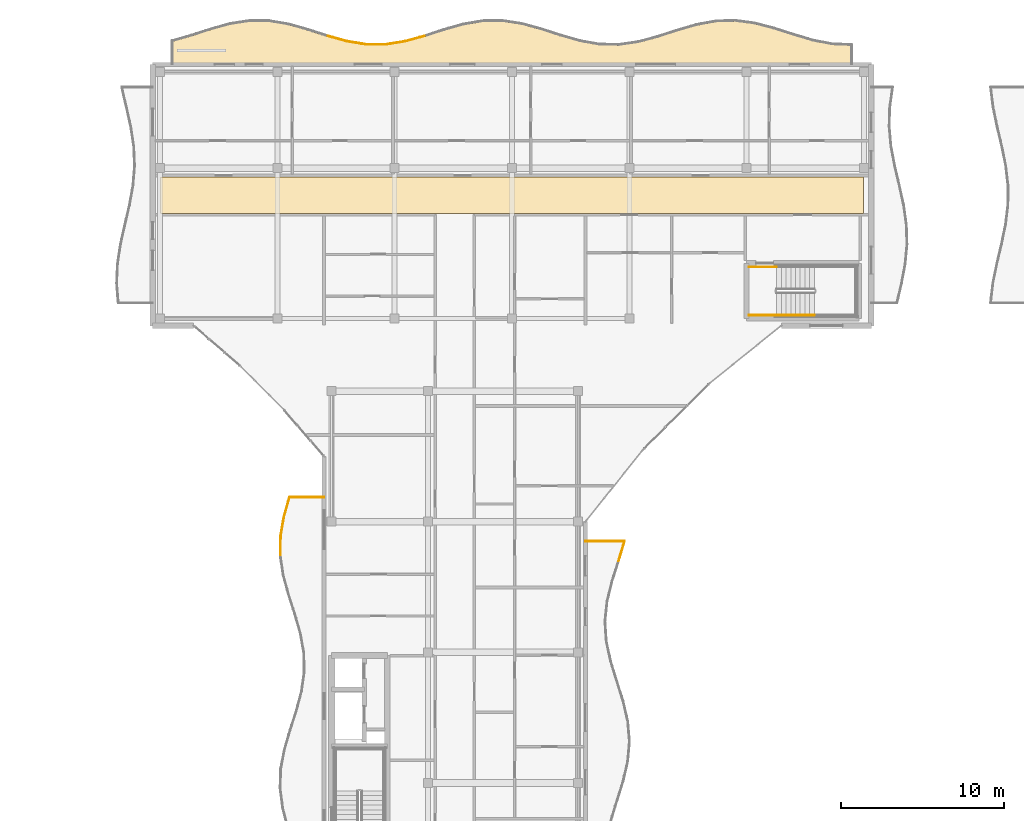
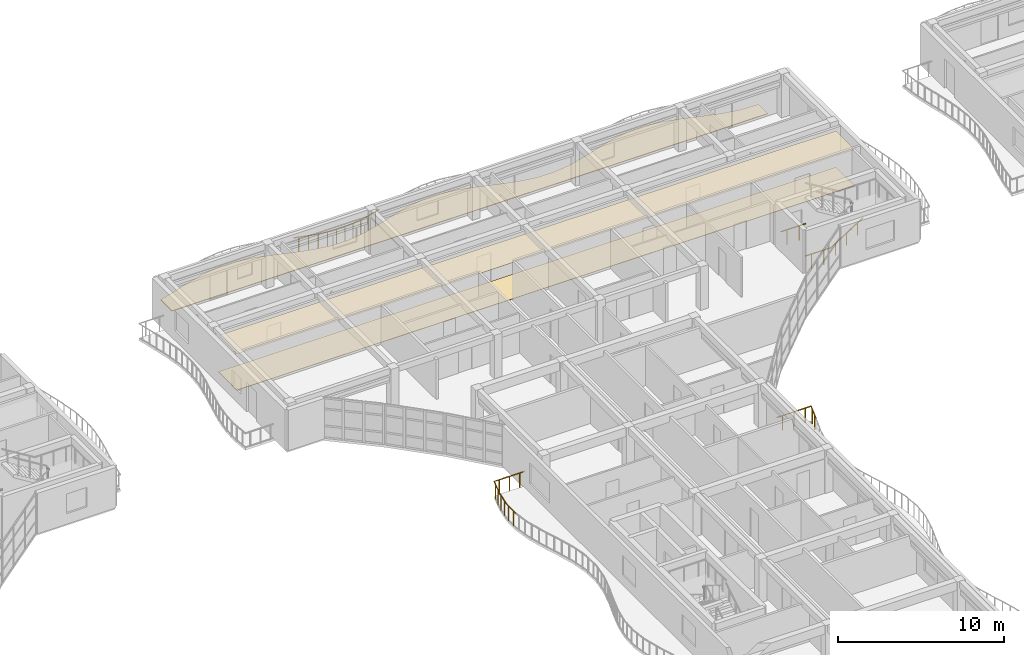
# One storey, part 59 of 68: 14 railings, 3 coverings.
"""IFC4 building model written with IfcOpenShell, lengths in metres."""

from ifc_helpers import new_model, si_unit, direction, frame, origin, origin_2d, place, context, subcontext, project, spatial, polyline, circle, outline, extrude, material, layer, layer_set, type_object, element, save


model = new_model("IFC4")

# Units and contexts
model_context = context("Model", 3, precision=1e-05, world=origin(), true_north=direction((0.0, 1.0)))
body_context = subcontext(model_context, "Body", "Model", "MODEL_VIEW")
ifc_project = project(units=[si_unit("LENGTHUNIT", "METRE"), si_unit("AREAUNIT", "SQUARE_METRE"), si_unit("VOLUMEUNIT", "CUBIC_METRE"), si_unit("PLANEANGLEUNIT", "RADIAN"), si_unit("MASSUNIT", "GRAM", prefix="KILO")], contexts=[model_context])

# Site, building, storey
site_placement = place(None, origin())
site = spatial("IfcSite", under=ifc_project, at=site_placement, CompositionType="ELEMENT")
building_placement = place(site_placement, origin())
building = spatial("IfcBuilding", under=site, at=building_placement, Name="Keldmere Railside Commons", CompositionType="ELEMENT")
storey_placement = place(building_placement, frame((0.0, 0.0, 23.360107421875)))
storey = spatial("IfcBuildingStorey", under=building, at=storey_placement, Name="L07", CompositionType="ELEMENT", Elevation=23.360107421875)

# Railings
ifc_material_1 = material(Name="Steel F-24 (S235)", Category="steel")
railing_type_1 = type_object("IfcRailingType", Name="Balcony & Terrace Steel Balustrade 1100", PredefinedType="BALUSTRADE", material=ifc_material_1)
railing_1_placement = place(storey_placement, frame((104.20849609375, 117.7470703125, 0.0)))
element("IfcRailing", 1, at=railing_1_placement, inside=storey, type_object=railing_type_1, Name="GR-1 GRD-L07-2639", PredefinedType="BALUSTRADE", context=body_context, shape_type="SweptSolid", body=[
    extrude(circle(Radius=0.02392578125, at=origin_2d()), frame((0.0, 0.0, 1.076171875), z_axis=(0.963287968843, -0.268470275975, 0.0), x_axis=(0.268470275975, 0.963287968843, 0.0)), (0.0, 0.0, 1.0), 1.234130859375),
    extrude(circle(Radius=0.02099609375, at=origin_2d()), frame((0.297119140625, -0.082763671875, 0.0)), (0.0, 0.0, 1.0), 1.048095703125),
    extrude(circle(Radius=0.02099609375, at=origin_2d()), frame((0.8916015625, -0.24853515625, 0.0)), (0.0, 0.0, 1.0), 1.048095703125),
])
railing_2_placement = place(storey_placement, frame((105.397216796875, 117.415771484375, 0.0)))
element("IfcRailing", 2, at=railing_2_placement, inside=storey, type_object=railing_type_1, Name="GR-1 GRD-L07-2640", PredefinedType="BALUSTRADE", context=body_context, shape_type="SweptSolid", body=[
    extrude(circle(Radius=0.02392578125, at=origin_2d()), frame((0.0, 0.0, 1.076171875), z_axis=(0.987373460489, -0.158409751981, 0.0), x_axis=(0.158409751981, 0.987373460489, 0.0)), (0.0, 0.0, 1.0), 1.20361328125),
    extrude(circle(Radius=0.02099609375, at=origin_2d()), frame((0.297119140625, -0.047607421875, 0.0)), (0.0, 0.0, 1.0), 1.048095703125),
    extrude(circle(Radius=0.02099609375, at=origin_2d()), frame((0.891357421875, -0.14306640625, 0.0)), (0.0, 0.0, 1.0), 1.048095703125),
])
railing_3_placement = place(storey_placement, frame((106.585693359375, 117.22509765625, 0.0)))
element("IfcRailing", 3, at=railing_3_placement, inside=storey, type_object=railing_type_1, Name="GR-1 GRD-L07-2641", PredefinedType="BALUSTRADE", context=body_context, shape_type="SweptSolid", body=[
    extrude(circle(Radius=0.02392578125, at=origin_2d()), frame((0.0, 0.0, 1.076171875), z_axis=(1.0, 0.0, 0.0), x_axis=(0.0, 1.0, 0.0)), (0.0, 0.0, 1.0), 1.188720703125),
    extrude(circle(Radius=0.02099609375, at=origin_2d()), frame((0.297119140625, 0.0, 0.0)), (0.0, 0.0, 1.0), 1.048095703125),
    extrude(circle(Radius=0.02099609375, at=origin_2d()), frame((0.8916015625, 0.0, 0.0)), (0.0, 0.0, 1.0), 1.048095703125),
])
railing_4_placement = place(storey_placement, frame((107.7744140625, 117.22509765625, 0.0)))
element("IfcRailing", 4, at=railing_4_placement, inside=storey, type_object=railing_type_1, Name="GR-1 GRD-L07-2642", PredefinedType="BALUSTRADE", context=body_context, shape_type="SweptSolid", body=[
    extrude(circle(Radius=0.02392578125, at=origin_2d()), frame((0.0, 0.0, 1.076171875), z_axis=(0.987373460489, 0.158409751981, 0.0), x_axis=(-0.158409751981, 0.987373460489, 0.0)), (0.0, 0.0, 1.0), 1.20361328125),
    extrude(circle(Radius=0.02099609375, at=origin_2d()), frame((0.297119140625, 0.047607421875, 0.0)), (0.0, 0.0, 1.0), 1.048095703125),
    extrude(circle(Radius=0.02099609375, at=origin_2d()), frame((0.891357421875, 0.14306640625, 0.0)), (0.0, 0.0, 1.0), 1.048095703125),
])
railing_5_placement = place(storey_placement, frame((108.962890625, 117.415771484375, 0.0)))
element("IfcRailing", 5, at=railing_5_placement, inside=storey, type_object=railing_type_1, Name="GR-1 GRD-L07-2643", PredefinedType="BALUSTRADE", context=body_context, shape_type="SweptSolid", body=[
    extrude(circle(Radius=0.02392578125, at=origin_2d()), frame((0.0, 0.0, 1.076171875), z_axis=(0.963324873582, 0.268337824276, 0.0), x_axis=(-0.268337824276, 0.963324873582, 0.0)), (0.0, 0.0, 1.0), 1.233642578125),
    extrude(circle(Radius=0.02099609375, at=origin_2d()), frame((0.297119140625, 0.082763671875, 0.0)), (0.0, 0.0, 1.0), 1.048095703125),
    extrude(circle(Radius=0.02099609375, at=origin_2d()), frame((0.891357421875, 0.248291015625, 0.0)), (0.0, 0.0, 1.0), 1.048095703125),
])
railing_6_placement = place(storey_placement, frame((122.0205078125, 85.574951171875, 0.0)))
element("IfcRailing", 6, at=railing_6_placement, inside=storey, type_object=railing_type_1, Name="GR-1 GRD-L07-2691", PredefinedType="BALUSTRADE", context=body_context, shape_type="SweptSolid", body=[
    extrude(circle(Radius=0.02392578125, at=origin_2d()), frame((0.0, 0.0, 1.076171875), z_axis=(0.289552075259, 0.957162261956, 0.0), x_axis=(-0.957162261956, 0.289552075259, 0.0)), (0.0, 0.0, 1.0), 1.280029296875),
    extrude(circle(Radius=0.02099609375, at=origin_2d()), frame((0.0927734375, 0.30615234375, 0.0)), (0.0, 0.0, 1.0), 1.048095703125),
    extrude(circle(Radius=0.02099609375, at=origin_2d()), frame((0.27783203125, 0.9189453125, 0.0)), (0.0, 0.0, 1.0), 1.048095703125),
])
railing_7_placement = place(storey_placement, frame((122.39111328125, 86.800048828125, 0.0)))
element("IfcRailing", 7, at=railing_7_placement, inside=storey, type_object=railing_type_1, Name="GR-1 GRD-L07-2692", PredefinedType="BALUSTRADE", context=body_context, shape_type="SweptSolid", body=[
    extrude(circle(Radius=0.02392578125, at=origin_2d()), frame((0.0, 0.0, 1.076171875), z_axis=(-1.0, 0.0, 0.0), x_axis=(0.0, -1.0, 0.0)), (0.0, 0.0, 1.0), 2.39111328125),
    extrude(circle(Radius=0.02099609375, at=origin_2d()), frame((-0.3984375, 0.0, 0.0)), (0.0, 0.0, 1.0), 1.048095703125),
    extrude(circle(Radius=0.02099609375, at=origin_2d()), frame((-1.195556640625, 0.0, 0.0)), (0.0, 0.0, 1.0), 1.048095703125),
    extrude(circle(Radius=0.02099609375, at=origin_2d()), frame((-1.99267578125, 0.0, 0.0)), (0.0, 0.0, 1.0), 1.048095703125),
])
railing_8_placement = place(storey_placement, frame((101.318115234375, 85.933349609375, 0.0)))
element("IfcRailing", 8, at=railing_8_placement, inside=storey, type_object=railing_type_1, Name="GR-1 GRD-L07-2718", PredefinedType="BALUSTRADE", context=body_context, shape_type="SweptSolid", body=[
    extrude(circle(Radius=0.02392578125, at=origin_2d()), frame((0.0, 0.0, 1.076171875), z_axis=(0.012524684876, 0.999921563058, 0.0), x_axis=(-0.999921563058, 0.012524684876, 0.0)), (0.0, 0.0, 1.0), 1.18896484375),
    extrude(circle(Radius=0.02099609375, at=origin_2d()), frame((0.003662109375, 0.29736328125, 0.0)), (0.0, 0.0, 1.0), 1.048095703125),
    extrude(circle(Radius=0.02099609375, at=origin_2d()), frame((0.01123046875, 0.8916015625, 0.0)), (0.0, 0.0, 1.0), 1.048095703125),
])
railing_9_placement = place(storey_placement, frame((101.3330078125, 87.122314453125, 0.0)))
element("IfcRailing", 9, at=railing_9_placement, inside=storey, type_object=railing_type_1, Name="GR-1 GRD-L07-2719", PredefinedType="BALUSTRADE", context=body_context, shape_type="SweptSolid", body=[
    extrude(circle(Radius=0.02392578125, at=origin_2d()), frame((0.0, 0.0, 1.076171875), z_axis=(0.169025618084, 0.985611658023, 0.0), x_axis=(-0.985611658023, 0.169025618084, 0.0)), (0.0, 0.0, 1.0), 1.2060546875),
    extrude(circle(Radius=0.02099609375, at=origin_2d()), frame((0.051025390625, 0.297119140625, 0.0)), (0.0, 0.0, 1.0), 1.048095703125),
    extrude(circle(Radius=0.02099609375, at=origin_2d()), frame((0.15283203125, 0.8916015625, 0.0)), (0.0, 0.0, 1.0), 1.048095703125),
])
railing_10_placement = place(storey_placement, frame((101.536865234375, 88.31103515625, 0.0)))
element("IfcRailing", 10, at=railing_10_placement, inside=storey, type_object=railing_type_1, Name="GR-1 GRD-L07-2720", PredefinedType="BALUSTRADE", context=body_context, shape_type="SweptSolid", body=[
    extrude(circle(Radius=0.02392578125, at=origin_2d()), frame((0.0, 0.0, 1.076171875), z_axis=(0.273912457849, 0.961754628497, 0.0), x_axis=(-0.961754628497, 0.273912457849, 0.0)), (0.0, 0.0, 1.0), 1.236328125),
    extrude(circle(Radius=0.02099609375, at=origin_2d()), frame((0.084716796875, 0.29736328125, 0.0)), (0.0, 0.0, 1.0), 1.048095703125),
    extrude(circle(Radius=0.02099609375, at=origin_2d()), frame((0.25390625, 0.8916015625, 0.0)), (0.0, 0.0, 1.0), 1.048095703125),
])
railing_11_placement = place(storey_placement, frame((101.87548828125, 89.5, 0.0)))
element("IfcRailing", 11, at=railing_11_placement, inside=storey, type_object=railing_type_1, Name="GR-1 GRD-L07-2721", PredefinedType="BALUSTRADE", context=body_context, shape_type="SweptSolid", body=[
    extrude(circle(Radius=0.02392578125, at=origin_2d()), frame((0.0, 0.0, 1.076171875), z_axis=(1.0, 0.0, 0.0), x_axis=(0.0, 1.0, 0.0)), (0.0, 0.0, 1.0), 2.12451171875),
    extrude(circle(Radius=0.02099609375, at=origin_2d()), frame((0.35400390625, 0.0, 0.0)), (0.0, 0.0, 1.0), 1.048095703125),
    extrude(circle(Radius=0.02099609375, at=origin_2d()), frame((1.062255859375, 0.0, 0.0)), (0.0, 0.0, 1.0), 1.048095703125),
    extrude(circle(Radius=0.02099609375, at=origin_2d()), frame((1.7705078125, 0.0, 0.0)), (0.0, 0.0, 1.0), 1.048095703125),
])

# Covering
ifc_material_2 = material(Name="Polished Terrazzo Tile Flooring", Category="concrete")
ifc_layer_1 = layer(ifc_material_2, 0.030029296875, Name="Polished Terrazzo Floor Finish 30")
ifc_layer_set_1 = layer_set([ifc_layer_1], Name="Polished Terrazzo Tile Flooring")
covering_type_1 = type_object("IfcCoveringType", Name="Polished Terrazzo Floor Finish 30", PredefinedType="FLOORING", material=ifc_layer_set_1)
covering_1_placement = place(storey_placement, origin())
element("IfcCovering", 12, at=covering_1_placement, inside=storey, type_object=covering_type_1, Name="FLR-1 Corridor Terrazzo B-L07", PredefinedType="FLOORING", context=body_context, shape_type="SweptSolid", body=[
    extrude(outline(polyline([(93.97998046875, 106.8798828125), (137.02001953125, 106.8798828125), (137.02001953125, 109.1201171875), (93.97998046875, 109.1201171875), (93.97998046875, 106.8798828125)])), origin(), (0.0, 0.0, 1.0), 0.02978515625),
])

# Railings
railing_type_2 = type_object("IfcRailingType", Name="Stair Well Steel Guardrail 1100", PredefinedType="BALUSTRADE", material=ifc_material_1)
for number, where, name in (
    (13, (130.0, 100.64990234375, 0.0), "L07 ST-B2 stair guard 8"),
    (14, (130.0, 103.60009765625, 0.0), "L07 ST-B2 stair guard 9"),
):
    element("IfcRailing", number, at=place(storey_placement, frame(where)), inside=storey, type_object=railing_type_2, Name=name, PredefinedType="BALUSTRADE", context=body_context, shape_type="SweptSolid", body=[
        extrude(circle(Radius=0.02392578125, at=origin_2d()), frame((0.0, 0.0, 1.076171875), z_axis=(1.0, 0.0, 0.0), x_axis=(0.0, 1.0, 0.0)), (0.0, 0.0, 1.0), 1.699951171875),
        extrude(circle(Radius=0.02099609375, at=origin_2d()), frame((0.425048828125, 0.0, 0.0)), (0.0, 0.0, 1.0), 1.048095703125),
        extrude(circle(Radius=0.02099609375, at=origin_2d()), frame((1.27490234375, 0.0, 0.0)), (0.0, 0.0, 1.0), 1.048095703125),
    ])

# Covering
ifc_material_3 = material(Name="Acoustic Mineral-Fibre Gypsum Ceiling", Category="gypsum")
ifc_layer_2 = layer(ifc_material_3, 0.02490234375, Name="Suspended Acoustic Ceiling 25")
ifc_layer_set_2 = layer_set([ifc_layer_2], Name="Acoustic Mineral-Fibre Gypsum Ceiling")
covering_type_2 = type_object("IfcCoveringType", Name="Suspended Acoustic Ceiling 25", PredefinedType="CEILING", material=ifc_layer_set_2)
covering_2_placement = place(storey_placement, frame((0.0, 0.0, 2.6748046875)))
element("IfcCovering", 15, at=covering_2_placement, inside=storey, type_object=covering_type_2, Name="CLG-1 Corridor Ceiling B-L07", PredefinedType="CEILING", context=body_context, shape_type="SweptSolid", body=[
    extrude(outline(polyline([(93.97998046875, 106.8798828125), (137.02001953125, 106.8798828125), (137.02001953125, 109.1201171875), (93.97998046875, 109.1201171875), (93.97998046875, 106.8798828125)])), origin(), (0.0, 0.0, 1.0), 0.025146484375),
])

# Railing
railing_type_3 = type_object("IfcRailingType", Name="Wall-Mounted Tubular Steel Handrail 900", PredefinedType="HANDRAIL", material=ifc_material_1)
railing_12_placement = place(storey_placement, frame((131.699951171875, 100.64990234375, 0.177734375)))
element("IfcRailing", 16, at=railing_12_placement, inside=storey, type_object=railing_type_3, Name="L07 ST-B2 stair handrail 1", PredefinedType="HANDRAIL", context=body_context, shape_type="SweptSolid", body=[
    extrude(circle(Radius=0.02392578125, at=origin_2d()), frame((0.0, 0.0, 0.8759765625), z_axis=(0.852578041948, 0.0, 0.522599925744), x_axis=(0.0, 1.0, 0.0)), (0.0, 0.0, 1.0), 2.72119140625),
    extrude(circle(Radius=0.02099609375, at=origin_2d()), frame((0.38671875, 0.0, 0.237060546875)), (0.0, 0.0, 1.0), 0.847900390625),
    extrude(circle(Radius=0.02099609375, at=origin_2d()), frame((1.16015625, 0.0, 0.7109375)), (0.0, 0.0, 1.0), 0.847900390625),
    extrude(circle(Radius=0.02099609375, at=origin_2d()), frame((1.933349609375, 0.0, 1.18505859375)), (0.0, 0.0, 1.0), 0.847900390625),
])

# Covering
ifc_material_4 = material(Name="White Precast Concrete C35/45", Category="concrete")
ifc_layer_3 = layer(ifc_material_4, 0.044921875, Name="White Architectural Balcony Ribbon Cladding 45")
ifc_layer_set_3 = layer_set([ifc_layer_3], Name="White Precast Concrete C35/45")
covering_type_3 = type_object("IfcCoveringType", Name="White Architectural Balcony Ribbon Cladding 45", PredefinedType="FLOORING", material=ifc_layer_set_3)
covering_3_placement = place(storey_placement, origin())
element("IfcCovering", 17, at=covering_3_placement, inside=storey, type_object=covering_type_3, Name="CLG-WB B L07 N White Balcony Ribbon", PredefinedType="FLOORING", context=body_context, shape_type="SweptSolid", body=[
    extrude(outline(polyline([(136.260009765625, 116.0400390625), (136.260009765625, 117.168701171875), (135.10986328125, 117.21337890625), (135.106689453125, 117.213623046875), (135.103759765625, 117.214111328125), (133.915283203125, 117.443115234375), (133.91162109375, 117.444091796875), (132.722900390625, 117.796142578125), (132.721923828125, 117.79638671875), (131.534423828125, 118.1787109375), (130.349365234375, 118.489990234375), (129.16650390625, 118.649169921875), (127.984130859375, 118.61474609375), (126.80078125, 118.39599609375), (125.61474609375, 118.04931640625), (124.426513671875, 117.666015625), (124.4248046875, 117.665283203125), (123.236083984375, 117.346435546875), (123.2314453125, 117.345458984375), (122.042724609375, 117.17529296875), (122.03955078125, 117.1748046875), (122.036376953125, 117.1748046875), (120.847900390625, 117.197998046875), (120.8447265625, 117.197998046875), (120.841552734375, 117.198486328125), (119.653076171875, 117.40869140625), (119.64892578125, 117.409912109375), (118.460205078125, 117.752197265625), (118.458984375, 117.75244140625), (117.271484375, 118.136474609375), (116.0859375, 118.460693359375), (114.90283203125, 118.640380859375), (113.720703125, 118.62890625), (112.537353515625, 118.42919921875), (111.3515625, 118.093017578125), (110.163818359375, 117.708740234375), (110.162109375, 117.708251953125), (108.9736328125, 117.377197265625), (108.96923828125, 117.376220703125), (107.780517578125, 117.185546875), (107.777587890625, 117.18505859375), (107.7744140625, 117.18505859375), (106.585693359375, 117.18505859375), (106.58251953125, 117.185302734375), (106.579345703125, 117.185546875), (105.390869140625, 117.376220703125), (105.386474609375, 117.377197265625), (104.197998046875, 117.70849609375), (104.1962890625, 117.708984375), (103.00830078125, 118.09326171875), (101.822509765625, 118.42919921875), (100.639404296875, 118.62890625), (99.45703125, 118.640380859375), (98.27392578125, 118.46044921875), (97.08837890625, 118.13623046875), (95.90087890625, 117.752197265625), (95.899658203125, 117.751953125), (94.739990234375, 117.41796875), (94.739990234375, 116.0400390625), (136.260009765625, 116.0400390625)])), origin(), (0.0, 0.0, 1.0), 0.044921875),
])

save(model, "model.ifc")
